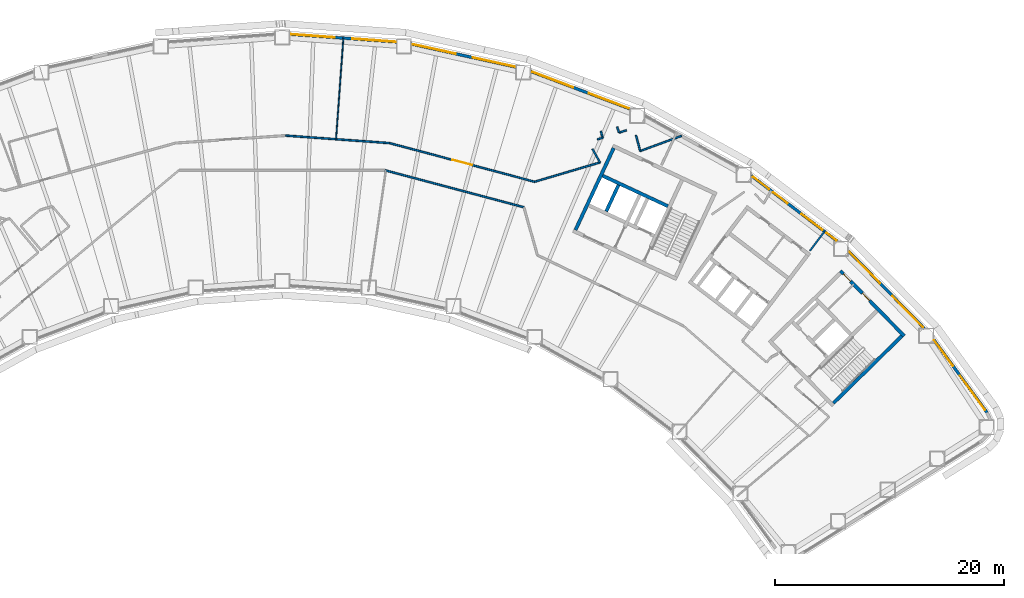
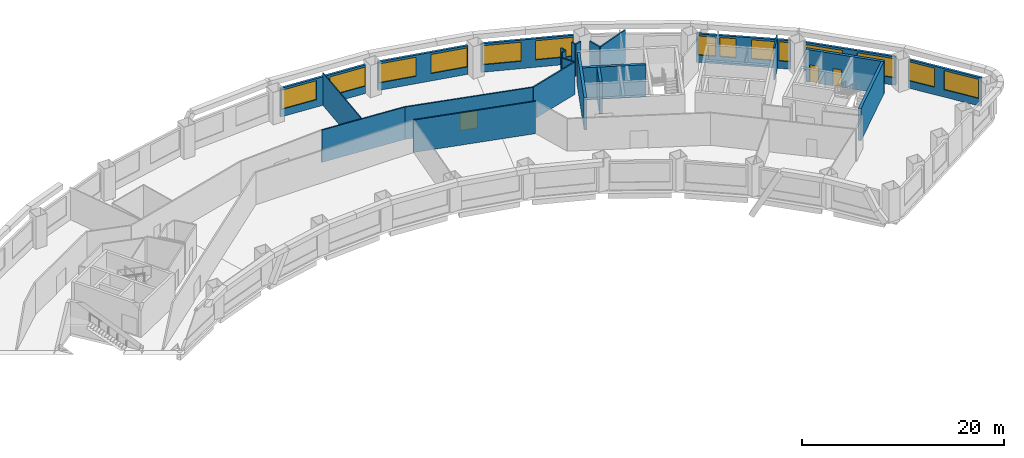
# One storey, part 7 of 11: 24 walls, 14 windows, 3 doors, 17 openings.
"""IFC4 building model written with IfcOpenShell, lengths in metres."""

from ifc_helpers import new_model, si_unit, direction, frame, frame_2d, origin, place, context, subcontext, project, spatial, rectangle, extrude, material, layer, layer_set, type_object, element, fill, save


model = new_model("IFC4")

# Units and contexts
model_context = context("Model", 3, precision=1e-05, world=origin(), true_north=direction((0.0, 1.0)))
body_context = subcontext(model_context, "Body", "Model", "MODEL_VIEW")
ifc_project = project(units=[si_unit("LENGTHUNIT", "METRE"), si_unit("AREAUNIT", "SQUARE_METRE"), si_unit("VOLUMEUNIT", "CUBIC_METRE"), si_unit("PLANEANGLEUNIT", "RADIAN"), si_unit("MASSUNIT", "GRAM", prefix="KILO")], contexts=[model_context])

# Site, building, storey
site_placement = place(None, origin())
site = spatial("IfcSite", under=ifc_project, at=site_placement, CompositionType="ELEMENT")
building_placement = place(site_placement, origin())
building = spatial("IfcBuilding", under=site, at=building_placement, Name="Tuul Gate Civic Tower", CompositionType="ELEMENT")
storey_placement = place(building_placement, frame((0.0, 0.0, 52.5)))
storey = spatial("IfcBuildingStorey", under=building, at=storey_placement, Name="Level 11", CompositionType="ELEMENT", Elevation=52.5)

# Wall, openings, doors
ifc_material_1 = material(Name="Concrete C50/60", Category="concrete")
ifc_layer_1 = layer(ifc_material_1, 0.300048828125)
ifc_layer_set_1 = layer_set([ifc_layer_1], Name="Concrete C50/60")
wall_type_1 = type_object("IfcWallType", Name="Core wall C50/60", PredefinedType="SHEAR", material=ifc_layer_set_1)
wall_1_placement = place(storey_placement, frame((54.43798828125, -12.23779296875, 0.0), z_axis=(0.0, 0.0, 1.0), x_axis=(-0.700021979774, 0.714121297703, 0.0)))
wall_1 = element("IfcWall", 1, at=wall_1_placement, inside=storey, type_object=wall_type_1, Name="Core wall", PredefinedType="SHEAR", context=body_context, shape_type="SweptSolid", body=[
    extrude(rectangle(XDim=8.0, YDim=0.300048828125, at=frame_2d((4.0, 0.0))), origin(), (0.0, 0.0, 1.0), 3.89990234375),
])
opening_1_placement = place(wall_1_placement, frame((4.34375, 0.0, 0.0)))
opening_1 = element("IfcOpeningElement", 2, at=opening_1_placement, cuts=wall_1, Name="Opening C-D17", PredefinedType="OPENING", context=body_context, shape_type="SweptSolid", body=[
    extrude(rectangle(XDim=0.89990234375, YDim=2.10009765625, at=frame_2d((0.449951171875, 1.050048828125))), frame((0.0, 0.16015625, 0.0), z_axis=(0.0, -1.0, 0.0), x_axis=(1.0, 0.0, 0.0)), (0.0, 0.0, 1.0), 0.320068359375),
])
opening_2_placement = place(wall_1_placement, frame((6.71875, 0.0, 0.0)))
opening_2 = element("IfcOpeningElement", 3, at=opening_2_placement, cuts=wall_1, Name="Opening C-D18", PredefinedType="OPENING", context=body_context, shape_type="SweptSolid", body=[
    extrude(rectangle(XDim=0.89990234375, YDim=2.10009765625, at=frame_2d((0.449951171875, 1.050048828125))), frame((0.0, 0.16015625, 0.0), z_axis=(0.0, -1.0, 0.0), x_axis=(1.0, 0.0, 0.0)), (0.0, 0.0, 1.0), 0.320068359375),
])
ifc_material_2 = material(Name="Timber door leaf", Category="wood")
door_type_1 = type_object("IfcDoorType", Name="Door D09", OperationType="NOTDEFINED", PredefinedType="DOOR", material=ifc_material_2)
door_1_placement = place(opening_1_placement, origin())
door_1 = element("IfcDoor", 4, at=door_1_placement, inside=storey, type_object=door_type_1, Name="Door C-D17", OperationType="SINGLE_SWING_LEFT", OverallHeight=2.10009765625, OverallWidth=0.89990234375, PredefinedType="DOOR", context=body_context, shape_type="SweptSolid", body=[
    extrude(rectangle(XDim=0.89990234375, YDim=2.10009765625, at=frame_2d((0.449951171875, 1.050048828125))), frame((0.0, 0.02490234375, 0.0), z_axis=(0.0, -1.0, 0.0), x_axis=(1.0, 0.0, 0.0)), (0.0, 0.0, 1.0), 0.050048828125),
])
fill(opening_1, door_1)
door_2_placement = place(opening_2_placement, origin())
door_2 = element("IfcDoor", 5, at=door_2_placement, inside=storey, type_object=door_type_1, Name="Door C-D18", OperationType="SINGLE_SWING_LEFT", OverallHeight=2.10009765625, OverallWidth=0.89990234375, PredefinedType="DOOR", context=body_context, shape_type="SweptSolid", body=[
    extrude(rectangle(XDim=0.89990234375, YDim=2.10009765625, at=frame_2d((0.449951171875, 1.050048828125))), frame((0.0, 0.02490234375, 0.0), z_axis=(0.0, -1.0, 0.0), x_axis=(1.0, 0.0, 0.0)), (0.0, 0.0, 1.0), 0.050048828125),
])
fill(opening_2, door_2)

# Walls
wall_2_placement = place(storey_placement, frame((48.227294921875, -18.115966796875, 0.0), z_axis=(0.0, 0.0, 1.0), x_axis=(0.714105315431, 0.700038283577, 0.0)))
element("IfcWall", 6, at=wall_2_placement, inside=storey, type_object=wall_type_1, Name="Core wall", PredefinedType="SHEAR", context=body_context, shape_type="SweptSolid", body=[
    extrude(rectangle(XDim=8.400146484375, YDim=0.300048828125, at=frame_2d((4.2001953125, 0.0))), origin(), (0.0, 0.0, 1.0), 3.89990234375),
])
wall_3_placement = place(storey_placement, frame((33.75, -0.873779296875, 0.0), z_axis=(0.0, 0.0, 1.0), x_axis=(-0.906300917592, 0.422632992999, 0.0)))
element("IfcWall", 7, at=wall_3_placement, inside=storey, type_object=wall_type_1, Name="Core wall", PredefinedType="SHEAR", context=body_context, shape_type="SweptSolid", body=[
    extrude(rectangle(XDim=6.300048828125, YDim=0.300048828125, at=frame_2d((3.14990234375, 0.0))), origin(), (0.0, 0.0, 1.0), 3.89990234375),
])
wall_4_placement = place(storey_placement, frame((28.349365234375, -1.33447265625, 0.0), z_axis=(0.0, 0.0, 1.0), x_axis=(0.422612891016, 0.906310291427, 0.0)))
element("IfcWall", 8, at=wall_4_placement, inside=storey, type_object=wall_type_1, Name="Core wall", PredefinedType="SHEAR", context=body_context, shape_type="SweptSolid", body=[
    extrude(rectangle(XDim=2.550048828125, YDim=0.300048828125, at=frame_2d((1.27490234375, 0.0))), origin(), (0.0, 0.0, 1.0), 3.89990234375),
])
wall_5_placement = place(storey_placement, frame((25.66455078125, -2.951416015625, 0.0), z_axis=(0.0, 0.0, 1.0), x_axis=(0.422582604137, 0.906324413596, 0.0)))
element("IfcWall", 9, at=wall_5_placement, inside=storey, type_object=wall_type_1, Name="Core wall", PredefinedType="SHEAR", context=body_context, shape_type="SweptSolid", body=[
    extrude(rectangle(XDim=7.89990234375, YDim=0.300048828125, at=frame_2d((3.949951171875, 0.0))), origin(), (0.0, 0.0, 1.0), 3.89990234375),
])
ifc_material_3 = material(Name="Gypsum board partition")
ifc_layer_2 = layer(ifc_material_3, 0.14990234375)
ifc_layer_set_2 = layer_set([ifc_layer_2], Name="Gypsum board partition")
wall_type_2 = type_object("IfcWallType", Name="Corridor wall P150", PredefinedType="PARTITIONING", material=ifc_layer_set_2)
wall_6_placement = place(storey_placement, frame((46.173583984375, -4.787353515625, 0.0), z_axis=(0.0, 0.0, 1.0), x_axis=(0.599688962485, 0.800233183687, 0.0)))
element("IfcWall", 10, at=wall_6_placement, inside=storey, type_object=wall_type_2, Name="p010", PredefinedType="PARTITIONING", context=body_context, shape_type="SweptSolid", body=[
    extrude(rectangle(XDim=2.13525390625, YDim=0.14990234375, at=frame_2d((1.067626953125, 0.0))), origin(), (0.0, 0.0, 1.0), 3.89990234375),
])
wall_7_placement = place(storey_placement, frame((22.095947265625, 1.259521484375, 0.0), z_axis=(0.0, 0.0, 1.0), x_axis=(0.958751009034, 0.284247256234, 0.0)))
element("IfcWall", 11, at=wall_7_placement, inside=storey, type_object=wall_type_2, Name="p016", PredefinedType="PARTITIONING", context=body_context, shape_type="SweptSolid", body=[
    extrude(rectangle(XDim=5.96240234375, YDim=0.14990234375, at=frame_2d((2.981201171875, 0.0))), origin(), (0.0, 0.0, 1.0), 3.89990234375),
])
wall_8_placement = place(storey_placement, frame((31.32470703125, 3.947021484375, 0.0), z_axis=(0.0, 0.0, 1.0), x_axis=(0.938419840958, 0.345497036305, 0.0)))
element("IfcWall", 12, at=wall_8_placement, inside=storey, type_object=wall_type_2, Name="p017", PredefinedType="PARTITIONING", context=body_context, shape_type="SweptSolid", body=[
    extrude(rectangle(XDim=3.856201171875, YDim=0.14990234375, at=frame_2d((1.92822265625, 0.0))), origin(), (0.0, 0.0, 1.0), 3.89990234375),
])
wall_9_placement = place(storey_placement, frame((30.952880859375, 5.334716796875, 0.0), z_axis=(0.0, 0.0, 1.0), x_axis=(0.258815365093, -0.965926812337, 0.0)))
element("IfcWall", 13, at=wall_9_placement, inside=storey, type_object=wall_type_2, Name="p018", PredefinedType="PARTITIONING", context=body_context, shape_type="SweptSolid", body=[
    extrude(rectangle(XDim=1.436767578125, YDim=0.14990234375, at=frame_2d((0.71826171875, 0.0))), origin(), (0.0, 0.0, 1.0), 3.89990234375),
])
wall_10_placement = place(storey_placement, frame((27.57275390625, 4.96923828125, 0.0), z_axis=(0.0, 0.0, 1.0), x_axis=(0.954401444677, 0.298526183774, 0.0)))
element("IfcWall", 14, at=wall_10_placement, inside=storey, type_object=wall_type_2, Name="p019", PredefinedType="PARTITIONING", context=body_context, shape_type="SweptSolid", body=[
    extrude(rectangle(XDim=0.498046875, YDim=0.14990234375, at=frame_2d((0.2490234375, 0.0))), origin(), (0.0, 0.0, 1.0), 3.89990234375),
])
wall_11_placement = place(storey_placement, frame((29.464599609375, 5.56103515625, 0.0), z_axis=(0.0, 0.0, 1.0), x_axis=(0.954329582976, 0.298755831839, 0.0)))
element("IfcWall", 15, at=wall_11_placement, inside=storey, type_object=wall_type_2, Name="p020", PredefinedType="PARTITIONING", context=body_context, shape_type="SweptSolid", body=[
    extrude(rectangle(XDim=0.69384765625, YDim=0.14990234375, at=frame_2d((0.346923828125, 0.0))), origin(), (0.0, 0.0, 1.0), 3.89990234375),
])
wall_12_placement = place(storey_placement, frame((29.314697265625, 6.071044921875, 0.0), z_axis=(0.0, 0.0, 1.0), x_axis=(0.281992264495, -0.959416678386, 0.0)))
element("IfcWall", 16, at=wall_12_placement, inside=storey, type_object=wall_type_2, Name="p021", PredefinedType="PARTITIONING", context=body_context, shape_type="SweptSolid", body=[
    extrude(rectangle(XDim=0.531494140625, YDim=0.14990234375, at=frame_2d((0.265625, 0.0))), origin(), (0.0, 0.0, 1.0), 3.89990234375),
])
wall_13_placement = place(storey_placement, frame((27.88037109375, 5.68896484375, 0.0), z_axis=(0.0, 0.0, 1.0), x_axis=(0.281810967654, -0.959469946642, 0.0)))
element("IfcWall", 17, at=wall_13_placement, inside=storey, type_object=wall_type_2, Name="p022", PredefinedType="PARTITIONING", context=body_context, shape_type="SweptSolid", body=[
    extrude(rectangle(XDim=0.59521484375, YDim=0.14990234375, at=frame_2d((0.297607421875, 0.0))), origin(), (0.0, 0.0, 1.0), 3.89990234375),
])
wall_14_placement = place(storey_placement, frame((27.14404296875, 4.132080078125, 0.0), z_axis=(0.0, 0.0, 1.0), x_axis=(0.493612890098, -0.869681731859, 0.0)))
element("IfcWall", 18, at=wall_14_placement, inside=storey, type_object=wall_type_2, Name="p023", PredefinedType="PARTITIONING", context=body_context, shape_type="SweptSolid", body=[
    extrude(rectangle(XDim=1.354248046875, YDim=0.14990234375, at=frame_2d((0.67724609375, 0.0))), origin(), (0.0, 0.0, 1.0), 3.89990234375),
])

# Wall, opening, door
wall_15_placement = place(storey_placement, frame((9.394287109375, 4.6455078125, 0.0), z_axis=(0.0, 0.0, 1.0), x_axis=(0.96624110807, -0.25763951769, 0.0)))
wall_15 = element("IfcWall", 19, at=wall_15_placement, inside=storey, type_object=wall_type_2, Name="p024", PredefinedType="PARTITIONING", context=body_context, shape_type="SweptSolid", body=[
    extrude(rectangle(XDim=13.1376953125, YDim=0.14990234375, at=frame_2d((6.56884765625, 0.0))), origin(), (0.0, 0.0, 1.0), 3.89990234375),
])
opening_3_placement = place(wall_15_placement, frame((5.6689453125, 0.0, 0.0)))
opening_3 = element("IfcOpeningElement", 20, at=opening_3_placement, cuts=wall_15, Name="Opening C-D02", PredefinedType="OPENING", context=body_context, shape_type="SweptSolid", body=[
    extrude(rectangle(XDim=1.800048828125, YDim=2.10009765625, at=frame_2d((0.89990234375, 1.050048828125))), frame((0.0, 0.0849609375, 0.0), z_axis=(0.0, -1.0, 0.0), x_axis=(1.0, 0.0, 0.0)), (0.0, 0.0, 1.0), 0.169921875),
])
ifc_material_4 = material(Name="Timber door leaf, double", Category="wood")
door_type_2 = type_object("IfcDoorType", Name="Door D18", OperationType="DOUBLE_DOOR_SINGLE_SWING", PredefinedType="DOOR", material=ifc_material_4)
door_3_placement = place(opening_3_placement, origin())
door_3 = element("IfcDoor", 21, at=door_3_placement, inside=storey, type_object=door_type_2, Name="Door C-D02", OperationType="DOUBLE_DOOR_SINGLE_SWING", OverallHeight=2.10009765625, OverallWidth=1.800048828125, PredefinedType="DOOR", context=body_context, shape_type="SweptSolid", body=[
    extrude(rectangle(XDim=1.800048828125, YDim=2.10009765625, at=frame_2d((0.89990234375, 1.050048828125))), frame((0.0, 0.02490234375, 0.0), z_axis=(0.0, -1.0, 0.0), x_axis=(1.0, 0.0, 0.0)), (0.0, 0.0, 1.0), 0.050048828125),
])
fill(opening_3, door_3)

# Walls
wall_16_placement = place(storey_placement, frame((0.281982421875, 5.3056640625, 0.0), z_axis=(0.0, 0.0, 1.0), x_axis=(0.997386024197, -0.072257309223, 0.0)))
element("IfcWall", 22, at=wall_16_placement, inside=storey, type_object=wall_type_2, Name="p025", PredefinedType="PARTITIONING", context=body_context, shape_type="SweptSolid", body=[
    extrude(rectangle(XDim=9.13623046875, YDim=0.14990234375, at=frame_2d((4.568115234375, 0.0))), origin(), (0.0, 0.0, 1.0), 3.89990234375),
])
wall_17_placement = place(storey_placement, frame((8.99755859375, 2.267333984375, 0.0), z_axis=(0.0, 0.0, 1.0), x_axis=(0.96624525778, -0.257623954279, 0.0)))
element("IfcWall", 23, at=wall_17_placement, inside=storey, type_object=wall_type_2, Name="p043", PredefinedType="PARTITIONING", context=body_context, shape_type="SweptSolid", body=[
    extrude(rectangle(XDim=12.56591796875, YDim=0.14990234375, at=frame_2d((6.282958984375, 0.0))), origin(), (0.0, 0.0, 1.0), 3.89990234375),
])

# Wall, openings, windows
ifc_material_5 = material(Name="Precast concrete C40/50", Category="concrete")
ifc_layer_3 = layer(ifc_material_5, 0.25)
ifc_layer_set_3 = layer_set([ifc_layer_3], Name="Precast concrete C40/50")
wall_type_3 = type_object("IfcWallType", Name="External wall", PredefinedType="STANDARD", material=ifc_layer_set_3)
wall_18_placement = place(storey_placement, frame((61.68896484375, -18.94677734375, 0.0), z_axis=(0.0, 0.0, 1.0), x_axis=(-0.589806928208, 0.807544294412, 0.0)))
wall_18 = element("IfcWall", 24, at=wall_18_placement, inside=storey, type_object=wall_type_3, Name="External wall", PredefinedType="STANDARD", context=body_context, shape_type="SweptSolid", body=[
    extrude(rectangle(XDim=7.912841796875, YDim=0.25, at=frame_2d((3.95654296875, 0.0))), origin(), (0.0, 0.0, 1.0), 3.449951171875),
])
opening_4_placement = place(wall_18_placement, frame((0.30078125, 0.0, 0.89990234375)))
opening_4 = element("IfcOpeningElement", 25, at=opening_4_placement, cuts=wall_18, Name="Opening W21", PredefinedType="OPENING", context=body_context, shape_type="SweptSolid", body=[
    extrude(rectangle(XDim=3.699951171875, YDim=2.300048828125, at=frame_2d((1.85009765625, 1.14990234375))), frame((0.0, 0.135009765625, 0.0), z_axis=(0.0, -1.0, 0.0), x_axis=(1.0, 0.0, 0.0)), (0.0, 0.0, 1.0), 0.27001953125),
])
opening_5_placement = place(wall_18_placement, frame((5.052001953125, 0.0, 0.89990234375)))
opening_5 = element("IfcOpeningElement", 26, at=opening_5_placement, cuts=wall_18, Name="Opening W23", PredefinedType="OPENING", context=body_context, shape_type="SweptSolid", body=[
    extrude(rectangle(XDim=2.800048828125, YDim=2.300048828125, at=frame_2d((1.39990234375, 1.14990234375))), frame((0.0, 0.135009765625, 0.0), z_axis=(0.0, -1.0, 0.0), x_axis=(1.0, 0.0, 0.0)), (0.0, 0.0, 1.0), 0.27001953125),
])
ifc_material_6 = material(Name="Glass", Category="glass")
window_type_1 = type_object("IfcWindowType", Name="Window W21 3700 x 2300", PartitioningType="SINGLE_PANEL", PredefinedType="WINDOW", material=ifc_material_6)
window_1_placement = place(opening_4_placement, origin())
window_1 = element("IfcWindow", 27, at=window_1_placement, inside=storey, type_object=window_type_1, Name="Window", OverallHeight=2.300048828125, OverallWidth=3.699951171875, PartitioningType="SINGLE_PANEL", PredefinedType="WINDOW", context=body_context, shape_type="SweptSolid", body=[
    extrude(rectangle(XDim=3.699951171875, YDim=2.300048828125, at=frame_2d((1.85009765625, 1.14990234375))), frame((0.0, 0.030029296875, 0.0), z_axis=(0.0, -1.0, 0.0), x_axis=(1.0, 0.0, 0.0)), (0.0, 0.0, 1.0), 0.06005859375),
])
fill(opening_4, window_1)
ifc_material_7 = material(Name="Glass", Category="glass")
window_type_2 = type_object("IfcWindowType", Name="Window W23 2800 x 2300", PartitioningType="SINGLE_PANEL", PredefinedType="WINDOW", material=ifc_material_7)
window_2_placement = place(opening_5_placement, origin())
window_2 = element("IfcWindow", 28, at=window_2_placement, inside=storey, type_object=window_type_2, Name="Window", OverallHeight=2.300048828125, OverallWidth=2.800048828125, PartitioningType="SINGLE_PANEL", PredefinedType="WINDOW", context=body_context, shape_type="SweptSolid", body=[
    extrude(rectangle(XDim=2.800048828125, YDim=2.300048828125, at=frame_2d((1.39990234375, 1.14990234375))), frame((0.0, 0.030029296875, 0.0), z_axis=(0.0, -1.0, 0.0), x_axis=(1.0, 0.0, 0.0)), (0.0, 0.0, 1.0), 0.06005859375),
])
fill(opening_5, window_2)

wall_19_placement = place(storey_placement, frame((56.18896484375, -11.56689453125, 0.0), z_axis=(0.0, 0.0, 1.0), x_axis=(-0.699994476854, 0.714148256578, 0.0)))
wall_19 = element("IfcWall", 29, at=wall_19_placement, inside=storey, type_object=wall_type_3, Name="External wall", PredefinedType="STANDARD", context=body_context, shape_type="SweptSolid", body=[
    extrude(rectangle(XDim=9.487060546875, YDim=0.25, at=frame_2d((4.74365234375, 0.0))), origin(), (0.0, 0.0, 1.0), 3.449951171875),
])
opening_6_placement = place(wall_19_placement, frame((0.135498046875, 0.0, 0.89990234375)))
opening_6 = element("IfcOpeningElement", 30, at=opening_6_placement, cuts=wall_19, Name="Opening W22", PredefinedType="OPENING", context=body_context, shape_type="SweptSolid", body=[
    extrude(rectangle(XDim=3.85009765625, YDim=2.300048828125, at=frame_2d((1.925048828125, 1.14990234375))), frame((0.0, 0.135009765625, 0.0), z_axis=(0.0, -1.0, 0.0), x_axis=(1.0, 0.0, 0.0)), (0.0, 0.0, 1.0), 0.27001953125),
])
opening_7_placement = place(wall_19_placement, frame((5.5068359375, 0.0, 0.89990234375)))
opening_7 = element("IfcOpeningElement", 31, at=opening_7_placement, cuts=wall_19, Name="Opening W22", PredefinedType="OPENING", context=body_context, shape_type="SweptSolid", body=[
    extrude(rectangle(XDim=3.85009765625, YDim=2.300048828125, at=frame_2d((1.925048828125, 1.14990234375))), frame((0.0, 0.135009765625, 0.0), z_axis=(0.0, -1.0, 0.0), x_axis=(1.0, 0.0, 0.0)), (0.0, 0.0, 1.0), 0.27001953125),
])
ifc_material_8 = material(Name="Glass", Category="glass")
window_type_3 = type_object("IfcWindowType", Name="Window W22 3850 x 2300", PartitioningType="SINGLE_PANEL", PredefinedType="WINDOW", material=ifc_material_8)
window_3_placement = place(opening_6_placement, origin())
window_3 = element("IfcWindow", 32, at=window_3_placement, inside=storey, type_object=window_type_3, Name="Window", OverallHeight=2.300048828125, OverallWidth=3.85009765625, PartitioningType="SINGLE_PANEL", PredefinedType="WINDOW", context=body_context, shape_type="SweptSolid", body=[
    extrude(rectangle(XDim=3.85009765625, YDim=2.300048828125, at=frame_2d((1.925048828125, 1.14990234375))), frame((0.0, 0.030029296875, 0.0), z_axis=(0.0, -1.0, 0.0), x_axis=(1.0, 0.0, 0.0)), (0.0, 0.0, 1.0), 0.06005859375),
])
fill(opening_6, window_3)
window_4_placement = place(opening_7_placement, origin())
window_4 = element("IfcWindow", 33, at=window_4_placement, inside=storey, type_object=window_type_3, Name="Window", OverallHeight=2.300048828125, OverallWidth=3.85009765625, PartitioningType="SINGLE_PANEL", PredefinedType="WINDOW", context=body_context, shape_type="SweptSolid", body=[
    extrude(rectangle(XDim=3.85009765625, YDim=2.300048828125, at=frame_2d((1.925048828125, 1.14990234375))), frame((0.0, 0.030029296875, 0.0), z_axis=(0.0, -1.0, 0.0), x_axis=(1.0, 0.0, 0.0)), (0.0, 0.0, 1.0), 0.06005859375),
])
fill(opening_7, window_4)

wall_20_placement = place(storey_placement, frame((48.579833984375, -3.94189453125, 0.0), z_axis=(0.0, 0.0, 1.0), x_axis=(-0.795612935537, 0.605805296119, 0.0)))
wall_20 = element("IfcWall", 34, at=wall_20_placement, inside=storey, type_object=wall_type_3, Name="External wall", PredefinedType="STANDARD", context=body_context, shape_type="SweptSolid", body=[
    extrude(rectangle(XDim=9.461669921875, YDim=0.25, at=frame_2d((4.73095703125, 0.0))), origin(), (0.0, 0.0, 1.0), 3.449951171875),
])
opening_8_placement = place(wall_20_placement, frame((0.100341796875, 0.0, 0.89990234375)))
opening_8 = element("IfcOpeningElement", 35, at=opening_8_placement, cuts=wall_20, Name="Opening W33", PredefinedType="OPENING", context=body_context, shape_type="SweptSolid", body=[
    extrude(rectangle(XDim=1.10009765625, YDim=2.300048828125, at=frame_2d((0.550048828125, 1.14990234375))), frame((0.0, 0.135009765625, 0.0), z_axis=(0.0, -1.0, 0.0), x_axis=(1.0, 0.0, 0.0)), (0.0, 0.0, 1.0), 0.27001953125),
])
opening_9_placement = place(wall_20_placement, frame((1.625244140625, 0.0, 0.89990234375)))
opening_9 = element("IfcOpeningElement", 36, at=opening_9_placement, cuts=wall_20, Name="Opening W34", PredefinedType="OPENING", context=body_context, shape_type="SweptSolid", body=[
    extrude(rectangle(XDim=2.300048828125, YDim=2.300048828125, at=frame_2d((1.14990234375, 1.14990234375))), frame((0.0, 0.135009765625, 0.0), z_axis=(0.0, -1.0, 0.0), x_axis=(1.0, 0.0, 0.0)), (0.0, 0.0, 1.0), 0.27001953125),
])
opening_10_placement = place(wall_20_placement, frame((5.471923828125, 0.0, 0.89990234375)))
opening_10 = element("IfcOpeningElement", 37, at=opening_10_placement, cuts=wall_20, Name="Opening W28", PredefinedType="OPENING", context=body_context, shape_type="SweptSolid", body=[
    extrude(rectangle(XDim=1.60009765625, YDim=2.300048828125, at=frame_2d((0.800048828125, 1.14990234375))), frame((0.0, 0.135009765625, 0.0), z_axis=(0.0, -1.0, 0.0), x_axis=(1.0, 0.0, 0.0)), (0.0, 0.0, 1.0), 0.27001953125),
])
opening_11_placement = place(wall_20_placement, frame((7.496826171875, 0.0, 0.89990234375)))
opening_11 = element("IfcOpeningElement", 38, at=opening_11_placement, cuts=wall_20, Name="Opening W29", PredefinedType="OPENING", context=body_context, shape_type="SweptSolid", body=[
    extrude(rectangle(XDim=1.800048828125, YDim=2.300048828125, at=frame_2d((0.89990234375, 1.14990234375))), frame((0.0, 0.135009765625, 0.0), z_axis=(0.0, -1.0, 0.0), x_axis=(1.0, 0.0, 0.0)), (0.0, 0.0, 1.0), 0.27001953125),
])
ifc_material_9 = material(Name="Glass", Category="glass")
window_type_4 = type_object("IfcWindowType", Name="Window 1100 x 2300", PartitioningType="SINGLE_PANEL", PredefinedType="WINDOW", material=ifc_material_9)
window_5_placement = place(opening_8_placement, origin())
window_5 = element("IfcWindow", 39, at=window_5_placement, inside=storey, type_object=window_type_4, Name="Window", OverallHeight=2.300048828125, OverallWidth=1.10009765625, PartitioningType="SINGLE_PANEL", PredefinedType="WINDOW", context=body_context, shape_type="SweptSolid", body=[
    extrude(rectangle(XDim=1.10009765625, YDim=2.300048828125, at=frame_2d((0.550048828125, 1.14990234375))), frame((0.0, 0.030029296875, 0.0), z_axis=(0.0, -1.0, 0.0), x_axis=(1.0, 0.0, 0.0)), (0.0, 0.0, 1.0), 0.06005859375),
])
fill(opening_8, window_5)
ifc_material_10 = material(Name="Glass", Category="glass")
window_type_5 = type_object("IfcWindowType", Name="Window 1600 x 2300", PartitioningType="SINGLE_PANEL", PredefinedType="WINDOW", material=ifc_material_10)
window_6_placement = place(opening_10_placement, origin())
window_6 = element("IfcWindow", 40, at=window_6_placement, inside=storey, type_object=window_type_5, Name="Window", OverallHeight=2.300048828125, OverallWidth=1.60009765625, PartitioningType="SINGLE_PANEL", PredefinedType="WINDOW", context=body_context, shape_type="SweptSolid", body=[
    extrude(rectangle(XDim=1.60009765625, YDim=2.300048828125, at=frame_2d((0.800048828125, 1.14990234375))), frame((0.0, 0.030029296875, 0.0), z_axis=(0.0, -1.0, 0.0), x_axis=(1.0, 0.0, 0.0)), (0.0, 0.0, 1.0), 0.06005859375),
])
fill(opening_10, window_6)
ifc_material_11 = material(Name="Glass", Category="glass")
window_type_6 = type_object("IfcWindowType", Name="Window 1800 x 2300", PartitioningType="SINGLE_PANEL", PredefinedType="WINDOW", material=ifc_material_11)
window_7_placement = place(opening_11_placement, origin())
window_7 = element("IfcWindow", 41, at=window_7_placement, inside=storey, type_object=window_type_6, Name="Window", OverallHeight=2.300048828125, OverallWidth=1.800048828125, PartitioningType="SINGLE_PANEL", PredefinedType="WINDOW", context=body_context, shape_type="SweptSolid", body=[
    extrude(rectangle(XDim=1.800048828125, YDim=2.300048828125, at=frame_2d((0.89990234375, 1.14990234375))), frame((0.0, 0.030029296875, 0.0), z_axis=(0.0, -1.0, 0.0), x_axis=(1.0, 0.0, 0.0)), (0.0, 0.0, 1.0), 0.06005859375),
])
fill(opening_11, window_7)
ifc_material_12 = material(Name="Glass", Category="glass")
window_type_7 = type_object("IfcWindowType", Name="Window 2300 x 2300", PartitioningType="SINGLE_PANEL", PredefinedType="WINDOW", material=ifc_material_12)
window_8_placement = place(opening_9_placement, origin())
window_8 = element("IfcWindow", 42, at=window_8_placement, inside=storey, type_object=window_type_7, Name="Window", OverallHeight=2.300048828125, OverallWidth=2.300048828125, PartitioningType="SINGLE_PANEL", PredefinedType="WINDOW", context=body_context, shape_type="SweptSolid", body=[
    extrude(rectangle(XDim=2.300048828125, YDim=2.300048828125, at=frame_2d((1.14990234375, 1.14990234375))), frame((0.0, 0.030029296875, 0.0), z_axis=(0.0, -1.0, 0.0), x_axis=(1.0, 0.0, 0.0)), (0.0, 0.0, 1.0), 0.06005859375),
])
fill(opening_9, window_8)

wall_21_placement = place(storey_placement, frame((30.4140625, 7.6455078125, 0.0), z_axis=(0.0, 0.0, 1.0), x_axis=(-0.93537723485, 0.353651563724, 0.0)))
wall_21 = element("IfcWall", 43, at=wall_21_placement, inside=storey, type_object=wall_type_3, Name="External wall", PredefinedType="STANDARD", context=body_context, shape_type="SweptSolid", body=[
    extrude(rectangle(XDim=9.287109375, YDim=0.25, at=frame_2d((4.6435546875, 0.0))), origin(), (0.0, 0.0, 1.0), 3.449951171875),
])
opening_12_placement = place(wall_21_placement, frame((0.0458984375, 0.0, 0.89990234375)))
opening_12 = element("IfcOpeningElement", 44, at=opening_12_placement, cuts=wall_21, Name="Opening W100", PredefinedType="OPENING", context=body_context, shape_type="SweptSolid", body=[
    extrude(rectangle(XDim=3.800048828125, YDim=2.300048828125, at=frame_2d((1.89990234375, 1.14990234375))), frame((0.0, 0.135009765625, 0.0), z_axis=(0.0, -1.0, 0.0), x_axis=(1.0, 0.0, 0.0)), (0.0, 0.0, 1.0), 0.27001953125),
])
opening_13_placement = place(wall_21_placement, frame((5.281982421875, 0.0, 0.89990234375)))
opening_13 = element("IfcOpeningElement", 45, at=opening_13_placement, cuts=wall_21, Name="Opening W22", PredefinedType="OPENING", context=body_context, shape_type="SweptSolid", body=[
    extrude(rectangle(XDim=3.85009765625, YDim=2.300048828125, at=frame_2d((1.925048828125, 1.14990234375))), frame((0.0, 0.135009765625, 0.0), z_axis=(0.0, -1.0, 0.0), x_axis=(1.0, 0.0, 0.0)), (0.0, 0.0, 1.0), 0.27001953125),
])
ifc_material_13 = material(Name="Glass", Category="glass")
window_type_8 = type_object("IfcWindowType", Name="Window W100 3800 x 2300", PartitioningType="SINGLE_PANEL", PredefinedType="WINDOW", material=ifc_material_13)
window_9_placement = place(opening_12_placement, origin())
window_9 = element("IfcWindow", 46, at=window_9_placement, inside=storey, type_object=window_type_8, Name="Window", OverallHeight=2.300048828125, OverallWidth=3.800048828125, PartitioningType="SINGLE_PANEL", PredefinedType="WINDOW", context=body_context, shape_type="SweptSolid", body=[
    extrude(rectangle(XDim=3.800048828125, YDim=2.300048828125, at=frame_2d((1.89990234375, 1.14990234375))), frame((0.0, 0.030029296875, 0.0), z_axis=(0.0, -1.0, 0.0), x_axis=(1.0, 0.0, 0.0)), (0.0, 0.0, 1.0), 0.06005859375),
])
fill(opening_12, window_9)
window_10_placement = place(opening_13_placement, origin())
window_10 = element("IfcWindow", 47, at=window_10_placement, inside=storey, type_object=window_type_3, Name="Window", OverallHeight=2.300048828125, OverallWidth=3.85009765625, PartitioningType="SINGLE_PANEL", PredefinedType="WINDOW", context=body_context, shape_type="SweptSolid", body=[
    extrude(rectangle(XDim=3.85009765625, YDim=2.300048828125, at=frame_2d((1.925048828125, 1.14990234375))), frame((0.0, 0.030029296875, 0.0), z_axis=(0.0, -1.0, 0.0), x_axis=(1.0, 0.0, 0.0)), (0.0, 0.0, 1.0), 0.06005859375),
])
fill(opening_13, window_10)

wall_22_placement = place(storey_placement, frame((20.427001953125, 11.304443359375, 0.0), z_axis=(0.0, 0.0, 1.0), x_axis=(-0.97654219172, 0.215326142841, 0.0)))
wall_22 = element("IfcWall", 48, at=wall_22_placement, inside=storey, type_object=wall_type_3, Name="External wall", PredefinedType="STANDARD", context=body_context, shape_type="SweptSolid", body=[
    extrude(rectangle(XDim=9.34716796875, YDim=0.25, at=frame_2d((4.673583984375, 0.0))), origin(), (0.0, 0.0, 1.0), 3.449951171875),
])
opening_14_placement = place(wall_22_placement, frame((0.04296875, 0.0, 0.89990234375)))
opening_14 = element("IfcOpeningElement", 49, at=opening_14_placement, cuts=wall_22, Name="Opening W100", PredefinedType="OPENING", context=body_context, shape_type="SweptSolid", body=[
    extrude(rectangle(XDim=3.800048828125, YDim=2.300048828125, at=frame_2d((1.89990234375, 1.14990234375))), frame((0.0, 0.135009765625, 0.0), z_axis=(0.0, -1.0, 0.0), x_axis=(1.0, 0.0, 0.0)), (0.0, 0.0, 1.0), 0.27001953125),
])
opening_15_placement = place(wall_22_placement, frame((5.363037109375, 0.0, 0.89990234375)))
opening_15 = element("IfcOpeningElement", 50, at=opening_15_placement, cuts=wall_22, Name="Opening W22", PredefinedType="OPENING", context=body_context, shape_type="SweptSolid", body=[
    extrude(rectangle(XDim=3.85009765625, YDim=2.300048828125, at=frame_2d((1.925048828125, 1.14990234375))), frame((0.0, 0.135009765625, 0.0), z_axis=(0.0, -1.0, 0.0), x_axis=(1.0, 0.0, 0.0)), (0.0, 0.0, 1.0), 0.27001953125),
])
window_11_placement = place(opening_14_placement, origin())
window_11 = element("IfcWindow", 51, at=window_11_placement, inside=storey, type_object=window_type_8, Name="Window", OverallHeight=2.300048828125, OverallWidth=3.800048828125, PartitioningType="SINGLE_PANEL", PredefinedType="WINDOW", context=body_context, shape_type="SweptSolid", body=[
    extrude(rectangle(XDim=3.800048828125, YDim=2.300048828125, at=frame_2d((1.89990234375, 1.14990234375))), frame((0.0, 0.030029296875, 0.0), z_axis=(0.0, -1.0, 0.0), x_axis=(1.0, 0.0, 0.0)), (0.0, 0.0, 1.0), 0.06005859375),
])
fill(opening_14, window_11)
window_12_placement = place(opening_15_placement, origin())
window_12 = element("IfcWindow", 52, at=window_12_placement, inside=storey, type_object=window_type_3, Name="Window", OverallHeight=2.300048828125, OverallWidth=3.85009765625, PartitioningType="SINGLE_PANEL", PredefinedType="WINDOW", context=body_context, shape_type="SweptSolid", body=[
    extrude(rectangle(XDim=3.85009765625, YDim=2.300048828125, at=frame_2d((1.925048828125, 1.14990234375))), frame((0.0, 0.030029296875, 0.0), z_axis=(0.0, -1.0, 0.0), x_axis=(1.0, 0.0, 0.0)), (0.0, 0.0, 1.0), 0.06005859375),
])
fill(opening_15, window_12)

wall_23_placement = place(storey_placement, frame((9.9990234375, 13.50048828125, 0.0), z_axis=(0.0, 0.0, 1.0), x_axis=(-0.997388413682, 0.072224318983, 0.0)))
wall_23 = element("IfcWall", 53, at=wall_23_placement, inside=storey, type_object=wall_type_3, Name="External wall", PredefinedType="STANDARD", context=body_context, shape_type="SweptSolid", body=[
    extrude(rectangle(XDim=9.37353515625, YDim=0.25, at=frame_2d((4.686767578125, 0.0))), origin(), (0.0, 0.0, 1.0), 3.449951171875),
])
opening_16_placement = place(wall_23_placement, frame((0.052734375, 0.0, 0.89990234375)))
opening_16 = element("IfcOpeningElement", 54, at=opening_16_placement, cuts=wall_23, Name="Opening W22", PredefinedType="OPENING", context=body_context, shape_type="SweptSolid", body=[
    extrude(rectangle(XDim=3.85009765625, YDim=2.300048828125, at=frame_2d((1.925048828125, 1.14990234375))), frame((0.0, 0.135009765625, 0.0), z_axis=(0.0, -1.0, 0.0), x_axis=(1.0, 0.0, 0.0)), (0.0, 0.0, 1.0), 0.27001953125),
])
opening_17_placement = place(wall_23_placement, frame((5.423828125, 0.0, 0.89990234375)))
opening_17 = element("IfcOpeningElement", 55, at=opening_17_placement, cuts=wall_23, Name="Opening W22", PredefinedType="OPENING", context=body_context, shape_type="SweptSolid", body=[
    extrude(rectangle(XDim=3.85009765625, YDim=2.300048828125, at=frame_2d((1.925048828125, 1.14990234375))), frame((0.0, 0.135009765625, 0.0), z_axis=(0.0, -1.0, 0.0), x_axis=(1.0, 0.0, 0.0)), (0.0, 0.0, 1.0), 0.27001953125),
])
window_13_placement = place(opening_16_placement, origin())
window_13 = element("IfcWindow", 56, at=window_13_placement, inside=storey, type_object=window_type_3, Name="Window", OverallHeight=2.300048828125, OverallWidth=3.85009765625, PartitioningType="SINGLE_PANEL", PredefinedType="WINDOW", context=body_context, shape_type="SweptSolid", body=[
    extrude(rectangle(XDim=3.85009765625, YDim=2.300048828125, at=frame_2d((1.925048828125, 1.14990234375))), frame((0.0, 0.030029296875, 0.0), z_axis=(0.0, -1.0, 0.0), x_axis=(1.0, 0.0, 0.0)), (0.0, 0.0, 1.0), 0.06005859375),
])
fill(opening_16, window_13)
window_14_placement = place(opening_17_placement, origin())
window_14 = element("IfcWindow", 57, at=window_14_placement, inside=storey, type_object=window_type_3, Name="Window", OverallHeight=2.300048828125, OverallWidth=3.85009765625, PartitioningType="SINGLE_PANEL", PredefinedType="WINDOW", context=body_context, shape_type="SweptSolid", body=[
    extrude(rectangle(XDim=3.85009765625, YDim=2.300048828125, at=frame_2d((1.925048828125, 1.14990234375))), frame((0.0, 0.030029296875, 0.0), z_axis=(0.0, -1.0, 0.0), x_axis=(1.0, 0.0, 0.0)), (0.0, 0.0, 1.0), 0.06005859375),
])
fill(opening_17, window_14)

# Wall
ifc_material_14 = material(Name="Gypsum board partition")
ifc_layer_4 = layer(ifc_material_14, 0.10009765625)
ifc_layer_set_4 = layer_set([ifc_layer_4], Name="Gypsum board partition")
wall_type_4 = type_object("IfcWallType", Name="Partition P100", PredefinedType="PARTITIONING", material=ifc_layer_set_4)
wall_24_placement = place(storey_placement, frame((4.70703125, 4.985107421875, 0.0), z_axis=(0.0, 0.0, 1.0), x_axis=(0.072249290175, 0.997386605118, 0.0)))
element("IfcWall", 58, at=wall_24_placement, inside=storey, type_object=wall_type_4, Name="p011", PredefinedType="PARTITIONING", context=body_context, shape_type="SweptSolid", body=[
    extrude(rectangle(XDim=8.88037109375, YDim=0.10009765625, at=frame_2d((4.440185546875, 0.0))), origin(), (0.0, 0.0, 1.0), 3.89990234375),
])

save(model, "model.ifc")
